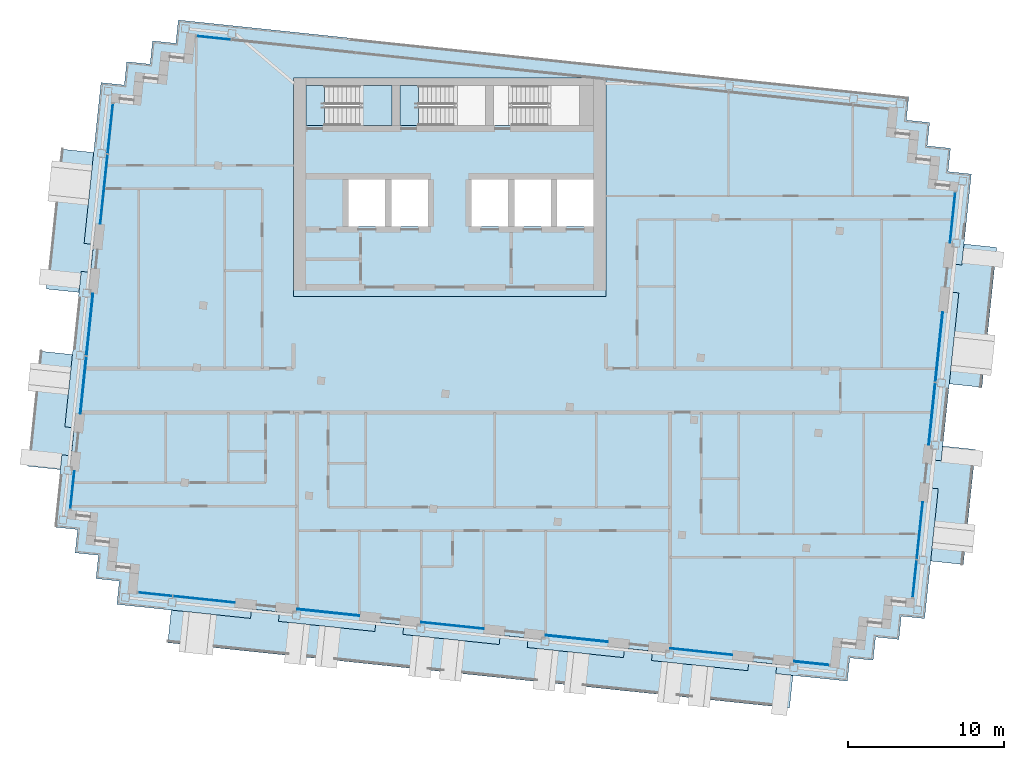
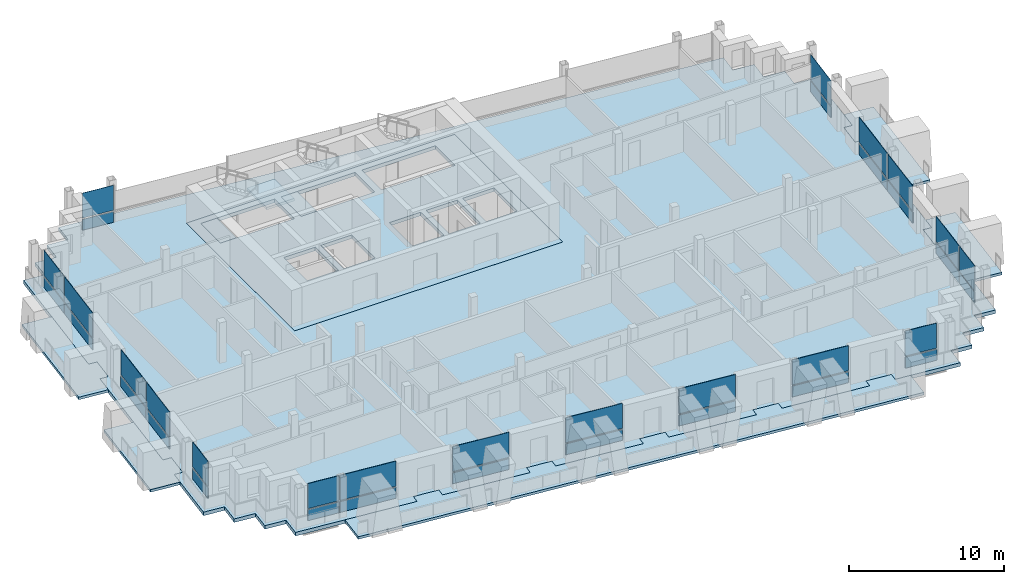
# One storey, part 7 of 16: 36 plates, 10 slabs, 14 elements without a shape of their own.
"""IFC4 building model written with IfcOpenShell, lengths in metres."""

from ifc_helpers import new_model, si_unit, direction, frame, origin, origin_2d, place, context, subcontext, project, spatial, polyline, rectangle, outline, extrude, material, layer, layer_set, type_object, element, aggregate, save


model = new_model("IFC4")

# Units and contexts
model_context = context("Model", 3, precision=1e-05, world=origin(), true_north=direction((0.0, 1.0)))
body_context = subcontext(model_context, "Body", "Model", "MODEL_VIEW")
ifc_project = project(units=[si_unit("LENGTHUNIT", "METRE"), si_unit("AREAUNIT", "SQUARE_METRE"), si_unit("VOLUMEUNIT", "CUBIC_METRE"), si_unit("PLANEANGLEUNIT", "RADIAN"), si_unit("MASSUNIT", "GRAM", prefix="KILO")], contexts=[model_context])

# Site, building, storey
site_placement = place(None, origin())
site = spatial("IfcSite", under=ifc_project, at=site_placement, CompositionType="ELEMENT")
building_placement = place(site_placement, origin())
building = spatial("IfcBuilding", under=site, at=building_placement, Name="Vidyagriha Tower", CompositionType="ELEMENT")
storey_placement = place(building_placement, frame((0.0, 0.0, 259.5)))
storey = spatial("IfcBuildingStorey", under=building, at=storey_placement, Name="L67", CompositionType="ELEMENT", Elevation=259.5)

# Curtain wall, plate
ifc_material_1 = material(Name="Aluminium and glass curtain wall", Category="aluminium")
curtain_wall_type = type_object("IfcCurtainWallType", Name="Dwelling skin unitised curtain wall", PredefinedType="USERDEFINED", material=ifc_material_1)
curtain_wall_1_placement = place(storey_placement, origin())
curtain_wall_1 = element("IfcCurtainWall", 1, at=curtain_wall_1_placement, inside=storey, type_object=curtain_wall_type, Name="CW1 dwelling skin", ObjectType="UNITISED", PredefinedType="USERDEFINED")
ifc_material_2 = material(Name="Glass dark ceramic-fritted spandrel", Category="glass")
ifc_layer_1 = layer(ifc_material_2, 0.0400390625)
ifc_layer_set_1 = layer_set([ifc_layer_1], Name="Glass dark ceramic-fritted spandrel")
plate_type_1 = type_object("IfcPlateType", Name="Ceramic-fritted spandrel panel", PredefinedType="CURTAIN_PANEL", material=ifc_layer_set_1)
plate_1_placement = place(storey_placement, frame((-15.11083984375, 22.56396484375, 0.0), z_axis=(0.0, 0.0, 1.0), x_axis=(-0.994521854435, 0.104528852722, 0.0)))
plate_1 = element("IfcPlate", 2, at=plate_1_placement, type_object=plate_type_1, Name="CW1 panel 7.1", PredefinedType="CURTAIN_PANEL", context=body_context, shape_type="SweptSolid", body=[
    extrude(rectangle(XDim=2.195068359375, YDim=0.0400390625, at=origin_2d()), origin(), (0.0, 0.0, 1.0), 0.85009765625),
])

# Curtain wall, plates
curtain_wall_2_placement = place(storey_placement, origin())
curtain_wall_2 = element("IfcCurtainWall", 3, at=curtain_wall_2_placement, inside=storey, type_object=curtain_wall_type, Name="CW1 dwelling skin", ObjectType="UNITISED", PredefinedType="USERDEFINED")
plate_2_placement = place(storey_placement, frame((-21.7216796875, 16.755615234375, 0.0), z_axis=(0.0, 0.0, 1.0), x_axis=(-0.104525282489, -0.994522229676, 0.0)))
plate_2 = element("IfcPlate", 4, at=plate_2_placement, type_object=plate_type_1, Name="CW1 panel 1.1", PredefinedType="CURTAIN_PANEL", context=body_context, shape_type="SweptSolid", body=[
    extrude(rectangle(XDim=3.195068359375, YDim=0.0400390625, at=origin_2d()), origin(), (0.0, 0.0, 1.0), 0.85009765625),
])
plate_3_placement = place(storey_placement, frame((-22.12939453125, 12.876953125, 0.0), z_axis=(0.0, 0.0, 1.0), x_axis=(-0.104525282489, -0.994522229676, 0.0)))
plate_3 = element("IfcPlate", 5, at=plate_3_placement, type_object=plate_type_1, Name="CW1 panel 2.1", PredefinedType="CURTAIN_PANEL", context=body_context, shape_type="SweptSolid", body=[
    extrude(rectangle(XDim=4.465087890625, YDim=0.0400390625, at=origin_2d()), origin(), (0.0, 0.0, 1.0), 0.85009765625),
])

# Curtain wall, plate
curtain_wall_3_placement = place(storey_placement, origin())
curtain_wall_3 = element("IfcCurtainWall", 6, at=curtain_wall_3_placement, inside=storey, type_object=curtain_wall_type, Name="CW1 dwelling skin", ObjectType="UNITISED", PredefinedType="USERDEFINED")
plate_4_placement = place(storey_placement, frame((-24.151611328125, -6.364501953125, 0.0), z_axis=(0.0, 0.0, 1.0), x_axis=(-0.10451613172, -0.994523191389, 0.0)))
plate_4 = element("IfcPlate", 7, at=plate_4_placement, type_object=plate_type_1, Name="CW1 panel 1.1", PredefinedType="CURTAIN_PANEL", context=body_context, shape_type="SweptSolid", body=[
    extrude(rectangle(XDim=2.43017578125, YDim=0.0400390625, at=origin_2d()), origin(), (0.0, 0.0, 1.0), 0.85009765625),
])

# Curtain wall, plates
curtain_wall_4_placement = place(storey_placement, origin())
curtain_wall_4 = element("IfcCurtainWall", 8, at=curtain_wall_4_placement, inside=storey, type_object=curtain_wall_type, Name="CW1 dwelling skin", ObjectType="UNITISED", PredefinedType="USERDEFINED")
plate_5_placement = place(storey_placement, frame((-18.852783203125, -13.0400390625, 0.0), z_axis=(0.0, 0.0, 1.0), x_axis=(0.994522400055, -0.104523661385, 0.0)))
plate_5 = element("IfcPlate", 9, at=plate_5_placement, type_object=plate_type_1, Name="CW1 panel 1.1", PredefinedType="CURTAIN_PANEL", context=body_context, shape_type="SweptSolid", body=[
    extrude(rectangle(XDim=2.195068359375, YDim=0.0400390625, at=origin_2d()), origin(), (0.0, 0.0, 1.0), 0.85009765625),
])
plate_6_placement = place(storey_placement, frame((-15.72021484375, -13.369384765625, 0.0), z_axis=(0.0, 0.0, 1.0), x_axis=(0.994522400055, -0.104523661385, 0.0)))
plate_6 = element("IfcPlate", 10, at=plate_6_placement, type_object=plate_type_1, Name="CW1 panel 2.1", PredefinedType="CURTAIN_PANEL", context=body_context, shape_type="SweptSolid", body=[
    extrude(rectangle(XDim=3.965087890625, YDim=0.0400390625, at=origin_2d()), origin(), (0.0, 0.0, 1.0), 0.85009765625),
])

# Curtain wall, plate
curtain_wall_5_placement = place(storey_placement, origin())
curtain_wall_5 = element("IfcCurtainWall", 11, at=curtain_wall_5_placement, inside=storey, type_object=curtain_wall_type, Name="CW1 dwelling skin", ObjectType="UNITISED", PredefinedType="USERDEFINED")
plate_7_placement = place(storey_placement, frame((0.1748046875, -15.039794921875, 0.0), z_axis=(0.0, 0.0, 1.0), x_axis=(0.994522016164, -0.104527313963, 0.0)))
plate_7 = element("IfcPlate", 12, at=plate_7_placement, type_object=plate_type_1, Name="CW1 panel 1.1", PredefinedType="CURTAIN_PANEL", context=body_context, shape_type="SweptSolid", body=[
    extrude(rectangle(XDim=4.0, YDim=0.0400390625, at=origin_2d()), origin(), (0.0, 0.0, 1.0), 0.85009765625),
])

curtain_wall_6_placement = place(storey_placement, origin())
curtain_wall_6 = element("IfcCurtainWall", 13, at=curtain_wall_6_placement, inside=storey, type_object=curtain_wall_type, Name="CW1 dwelling skin", ObjectType="UNITISED", PredefinedType="USERDEFINED")
plate_8_placement = place(storey_placement, frame((16.087158203125, -16.71240234375, 0.0), z_axis=(0.0, 0.0, 1.0), x_axis=(0.994522289309, -0.104524715101, 0.0)))
plate_8 = element("IfcPlate", 14, at=plate_8_placement, type_object=plate_type_1, Name="CW1 panel 1.1", PredefinedType="CURTAIN_PANEL", context=body_context, shape_type="SweptSolid", body=[
    extrude(rectangle(XDim=4.0, YDim=0.0400390625, at=origin_2d()), origin(), (0.0, 0.0, 1.0), 0.85009765625),
])

# Curtain wall, plates
curtain_wall_7_placement = place(storey_placement, origin())
curtain_wall_7 = element("IfcCurtainWall", 15, at=curtain_wall_7_placement, inside=storey, type_object=curtain_wall_type, Name="CW1 dwelling skin", ObjectType="UNITISED", PredefinedType="USERDEFINED")
plate_9_placement = place(storey_placement, frame((29.74951171875, -12.04736328125, 0.0), z_axis=(0.0, 0.0, 1.0), x_axis=(0.10453281607, 0.994521437861, 0.0)))
plate_9 = element("IfcPlate", 16, at=plate_9_placement, type_object=plate_type_1, Name="CW1 panel 1.1", PredefinedType="CURTAIN_PANEL", context=body_context, shape_type="SweptSolid", body=[
    extrude(rectangle(XDim=2.39501953125, YDim=0.0400390625, at=origin_2d()), origin(), (0.0, 0.0, 1.0), 0.85009765625),
])
plate_10_placement = place(storey_placement, frame((30.073486328125, -8.96435546875, 0.0), z_axis=(0.0, 0.0, 1.0), x_axis=(0.10453281607, 0.994521437861, 0.0)))
plate_10 = element("IfcPlate", 17, at=plate_10_placement, type_object=plate_type_1, Name="CW1 panel 2.1", PredefinedType="CURTAIN_PANEL", context=body_context, shape_type="SweptSolid", body=[
    extrude(rectangle(XDim=3.6650390625, YDim=0.0400390625, at=origin_2d()), origin(), (0.0, 0.0, 1.0), 0.85009765625),
])

# Curtain wall, plate
curtain_wall_8_placement = place(storey_placement, origin())
curtain_wall_8 = element("IfcCurtainWall", 18, at=curtain_wall_8_placement, inside=storey, type_object=curtain_wall_type, Name="CW1 dwelling skin", ObjectType="UNITISED", PredefinedType="USERDEFINED")
plate_11_placement = place(storey_placement, frame((32.1796875, 11.07275390625, 0.0), z_axis=(0.0, 0.0, 1.0), x_axis=(0.10451599791, 0.994523205451, 0.0)))
plate_11 = element("IfcPlate", 19, at=plate_11_placement, type_object=plate_type_1, Name="CW1 panel 1.1", PredefinedType="CURTAIN_PANEL", context=body_context, shape_type="SweptSolid", body=[
    extrude(rectangle(XDim=3.22998046875, YDim=0.0400390625, at=origin_2d()), origin(), (0.0, 0.0, 1.0), 0.85009765625),
])

# Slab
ifc_material_3 = material(Name="Concrete C60/75", Category="concrete")
ifc_layer_2 = layer(ifc_material_3, 0.280029296875)
ifc_layer_set_2 = layer_set([ifc_layer_2], Name="Concrete C60/75")
slab_type_1 = type_object("IfcSlabType", Name="Core floor slab 280 mm", PredefinedType="FLOOR", material=ifc_layer_set_2)
slab_1_placement = place(storey_placement, frame((0.0, 0.0, -0.280029296875)))
element("IfcSlab", 20, at=slab_1_placement, inside=storey, type_object=slab_type_1, Name="L67 core floor 1", PredefinedType="FLOOR", context=body_context, shape_type="SweptSolid", body=[
    extrude(outline(polyline([(-10.0, 6.0), (-10.0, 20.0), (10.0, 20.0), (10.0, 6.0), (-10.0, 6.0)]), holes=[polyline([(6.86669921875, 13.5), (6.86669921875, 10.5), (9.199951171875, 10.5), (9.199951171875, 13.5), (6.86669921875, 13.5)]), polyline([(4.0, 19.5), (2.800048828125, 19.5), (2.800048828125, 16.949951171875), (4.0, 16.949951171875), (8.300048828125, 16.949951171875), (8.300048828125, 19.5), (4.0, 19.5)]), polyline([(6.466796875, 13.5), (4.13330078125, 13.5), (4.13330078125, 10.5), (6.466796875, 10.5), (6.466796875, 13.5)]), polyline([(3.7333984375, 13.5), (1.39990234375, 13.5), (1.39990234375, 10.5), (3.7333984375, 10.5), (3.7333984375, 13.5)]), polyline([(-2.0, 16.949951171875), (2.300048828125, 16.949951171875), (2.300048828125, 19.5), (-2.0, 19.5), (-3.199951171875, 19.5), (-3.199951171875, 16.949951171875), (-2.0, 16.949951171875)]), polyline([(-3.7333984375, 13.5), (-3.7333984375, 10.5), (-1.39990234375, 10.5), (-1.39990234375, 13.5), (-3.7333984375, 13.5)]), polyline([(-9.199951171875, 19.5), (-9.199951171875, 16.949951171875), (-8.0, 16.949951171875), (-3.699951171875, 16.949951171875), (-3.699951171875, 19.5), (-8.0, 19.5), (-9.199951171875, 19.5)]), polyline([(-6.466796875, 13.5), (-6.466796875, 10.5), (-4.13330078125, 10.5), (-4.13330078125, 13.5), (-6.466796875, 13.5)])]), origin(), (0.0, 0.0, 1.0), 0.280029296875),
])

# Plate
ifc_material_4 = material(Name="Glass dark ceramic-fritted", Category="glass")
ifc_layer_3 = layer(ifc_material_4, 0.028076171875)
ifc_layer_set_3 = layer_set([ifc_layer_3], Name="Glass dark ceramic-fritted")
plate_type_2 = type_object("IfcPlateType", Name="Dark ceramic-fritted vision glass panel", PredefinedType="CURTAIN_PANEL", material=ifc_layer_set_3)
plate_12_placement = place(storey_placement, frame((-15.11083984375, 22.56396484375, 0.9501953125), z_axis=(0.0, 0.0, 1.0), x_axis=(-0.994521854435, 0.104528852722, 0.0)))
plate_12 = element("IfcPlate", 21, at=plate_12_placement, type_object=plate_type_2, Name="CW1 panel 7.2", PredefinedType="CURTAIN_PANEL", context=body_context, shape_type="SweptSolid", body=[
    extrude(rectangle(XDim=2.195068359375, YDim=0.028076171875, at=origin_2d()), origin(), (0.0, 0.0, 1.0), 1.969970703125),
])

aggregate(curtain_wall_1, [plate_1, plate_12])

plate_13_placement = place(storey_placement, frame((-21.7216796875, 16.755615234375, 0.9501953125), z_axis=(0.0, 0.0, 1.0), x_axis=(-0.104525282489, -0.994522229676, 0.0)))
plate_13 = element("IfcPlate", 22, at=plate_13_placement, type_object=plate_type_2, Name="CW1 panel 1.2", PredefinedType="CURTAIN_PANEL", context=body_context, shape_type="SweptSolid", body=[
    extrude(rectangle(XDim=3.195068359375, YDim=0.028076171875, at=origin_2d()), origin(), (0.0, 0.0, 1.0), 1.969970703125),
])

plate_14_placement = place(storey_placement, frame((-22.12939453125, 12.876953125, 0.9501953125), z_axis=(0.0, 0.0, 1.0), x_axis=(-0.104525282489, -0.994522229676, 0.0)))
plate_14 = element("IfcPlate", 23, at=plate_14_placement, type_object=plate_type_2, Name="CW1 panel 2.2", PredefinedType="CURTAIN_PANEL", context=body_context, shape_type="SweptSolid", body=[
    extrude(rectangle(XDim=4.465087890625, YDim=0.028076171875, at=origin_2d()), origin(), (0.0, 0.0, 1.0), 1.969970703125),
])

aggregate(curtain_wall_2, [plate_2, plate_13, plate_3, plate_14])

# Curtain wall, plates
curtain_wall_9_placement = place(storey_placement, origin())
curtain_wall_9 = element("IfcCurtainWall", 24, at=curtain_wall_9_placement, inside=storey, type_object=curtain_wall_type, Name="CW1 dwelling skin", ObjectType="UNITISED", PredefinedType="USERDEFINED")
plate_15_placement = place(storey_placement, frame((-23.040283203125, 4.209716796875, 0.9501953125), z_axis=(0.0, 0.0, 1.0), x_axis=(-0.10453267483, -0.994521452706, 0.0)))
plate_15 = element("IfcPlate", 25, at=plate_15_placement, type_object=plate_type_2, Name="CW1 panel 1.2", PredefinedType="CURTAIN_PANEL", context=body_context, shape_type="SweptSolid", body=[
    extrude(rectangle(XDim=3.965087890625, YDim=0.028076171875, at=origin_2d()), origin(), (0.0, 0.0, 1.0), 1.969970703125),
])
plate_16_placement = place(storey_placement, frame((-23.4462890625, 0.345947265625, 0.9501953125), z_axis=(0.0, 0.0, 1.0), x_axis=(-0.10453267483, -0.994521452706, 0.0)))
plate_16 = element("IfcPlate", 26, at=plate_16_placement, type_object=plate_type_2, Name="CW1 panel 2.2", PredefinedType="CURTAIN_PANEL", context=body_context, shape_type="SweptSolid", body=[
    extrude(rectangle(XDim=3.6650390625, YDim=0.028076171875, at=origin_2d()), origin(), (0.0, 0.0, 1.0), 1.969970703125),
])

# Plate
plate_17_placement = place(storey_placement, frame((-24.151611328125, -6.364501953125, 0.9501953125), z_axis=(0.0, 0.0, 1.0), x_axis=(-0.10451613172, -0.994523191389, 0.0)))
plate_17 = element("IfcPlate", 27, at=plate_17_placement, type_object=plate_type_2, Name="CW1 panel 1.2", PredefinedType="CURTAIN_PANEL", context=body_context, shape_type="SweptSolid", body=[
    extrude(rectangle(XDim=2.43017578125, YDim=0.028076171875, at=origin_2d()), origin(), (0.0, 0.0, 1.0), 1.969970703125),
])

aggregate(curtain_wall_3, [plate_4, plate_17])

plate_18_placement = place(storey_placement, frame((-18.852783203125, -13.0400390625, 0.9501953125), z_axis=(0.0, 0.0, 1.0), x_axis=(0.994522400055, -0.104523661385, 0.0)))
plate_18 = element("IfcPlate", 28, at=plate_18_placement, type_object=plate_type_2, Name="CW1 panel 1.2", PredefinedType="CURTAIN_PANEL", context=body_context, shape_type="SweptSolid", body=[
    extrude(rectangle(XDim=2.195068359375, YDim=0.028076171875, at=origin_2d()), origin(), (0.0, 0.0, 1.0), 1.969970703125),
])

plate_19_placement = place(storey_placement, frame((-15.72021484375, -13.369384765625, 0.9501953125), z_axis=(0.0, 0.0, 1.0), x_axis=(0.994522400055, -0.104523661385, 0.0)))
plate_19 = element("IfcPlate", 29, at=plate_19_placement, type_object=plate_type_2, Name="CW1 panel 2.2", PredefinedType="CURTAIN_PANEL", context=body_context, shape_type="SweptSolid", body=[
    extrude(rectangle(XDim=3.965087890625, YDim=0.028076171875, at=origin_2d()), origin(), (0.0, 0.0, 1.0), 1.969970703125),
])

aggregate(curtain_wall_4, [plate_5, plate_18, plate_6, plate_19])

# Curtain wall, plate
curtain_wall_10_placement = place(storey_placement, origin())
curtain_wall_10 = element("IfcCurtainWall", 30, at=curtain_wall_10_placement, inside=storey, type_object=curtain_wall_type, Name="CW1 dwelling skin", ObjectType="UNITISED", PredefinedType="USERDEFINED")
plate_20_placement = place(storey_placement, frame((-7.78125, -14.20361328125, 0.9501953125), z_axis=(0.0, 0.0, 1.0), x_axis=(0.994519690211, -0.104549441808, 0.0)))
plate_20 = element("IfcPlate", 31, at=plate_20_placement, type_object=plate_type_2, Name="CW1 panel 1.2", PredefinedType="CURTAIN_PANEL", context=body_context, shape_type="SweptSolid", body=[
    extrude(rectangle(XDim=4.0, YDim=0.028076171875, at=origin_2d()), origin(), (0.0, 0.0, 1.0), 1.969970703125),
])

# Plate
plate_21_placement = place(storey_placement, frame((0.1748046875, -15.039794921875, 0.9501953125), z_axis=(0.0, 0.0, 1.0), x_axis=(0.994522016164, -0.104527313963, 0.0)))
plate_21 = element("IfcPlate", 32, at=plate_21_placement, type_object=plate_type_2, Name="CW1 panel 1.2", PredefinedType="CURTAIN_PANEL", context=body_context, shape_type="SweptSolid", body=[
    extrude(rectangle(XDim=4.0, YDim=0.028076171875, at=origin_2d()), origin(), (0.0, 0.0, 1.0), 1.969970703125),
])

aggregate(curtain_wall_5, [plate_7, plate_21])

# Curtain wall, plate
curtain_wall_11_placement = place(storey_placement, origin())
curtain_wall_11 = element("IfcCurtainWall", 33, at=curtain_wall_11_placement, inside=storey, type_object=curtain_wall_type, Name="CW1 dwelling skin", ObjectType="UNITISED", PredefinedType="USERDEFINED")
plate_22_placement = place(storey_placement, frame((8.131103515625, -15.876220703125, 0.9501953125), z_axis=(0.0, 0.0, 1.0), x_axis=(0.994522289309, -0.104524715101, 0.0)))
plate_22 = element("IfcPlate", 34, at=plate_22_placement, type_object=plate_type_2, Name="CW1 panel 1.2", PredefinedType="CURTAIN_PANEL", context=body_context, shape_type="SweptSolid", body=[
    extrude(rectangle(XDim=4.0, YDim=0.028076171875, at=origin_2d()), origin(), (0.0, 0.0, 1.0), 1.969970703125),
])

# Plate
plate_23_placement = place(storey_placement, frame((16.087158203125, -16.71240234375, 0.9501953125), z_axis=(0.0, 0.0, 1.0), x_axis=(0.994522289309, -0.104524715101, 0.0)))
plate_23 = element("IfcPlate", 35, at=plate_23_placement, type_object=plate_type_2, Name="CW1 panel 1.2", PredefinedType="CURTAIN_PANEL", context=body_context, shape_type="SweptSolid", body=[
    extrude(rectangle(XDim=4.0, YDim=0.028076171875, at=origin_2d()), origin(), (0.0, 0.0, 1.0), 1.969970703125),
])

aggregate(curtain_wall_6, [plate_8, plate_23])

# Curtain wall, plate
curtain_wall_12_placement = place(storey_placement, origin())
curtain_wall_12 = element("IfcCurtainWall", 36, at=curtain_wall_12_placement, inside=storey, type_object=curtain_wall_type, Name="CW1 dwelling skin", ObjectType="UNITISED", PredefinedType="USERDEFINED")
plate_24_placement = place(storey_placement, frame((23.1630859375, -17.4560546875, 0.9501953125), z_axis=(0.0, 0.0, 1.0), x_axis=(0.994522592653, -0.10452182883, 0.0)))
plate_24 = element("IfcPlate", 37, at=plate_24_placement, type_object=plate_type_2, Name="CW1 panel 1.2", PredefinedType="CURTAIN_PANEL", context=body_context, shape_type="SweptSolid", body=[
    extrude(rectangle(XDim=2.22998046875, YDim=0.028076171875, at=origin_2d()), origin(), (0.0, 0.0, 1.0), 1.969970703125),
])

# Plate
plate_25_placement = place(storey_placement, frame((29.74951171875, -12.04736328125, 0.9501953125), z_axis=(0.0, 0.0, 1.0), x_axis=(0.10453281607, 0.994521437861, 0.0)))
plate_25 = element("IfcPlate", 38, at=plate_25_placement, type_object=plate_type_2, Name="CW1 panel 1.2", PredefinedType="CURTAIN_PANEL", context=body_context, shape_type="SweptSolid", body=[
    extrude(rectangle(XDim=2.39501953125, YDim=0.028076171875, at=origin_2d()), origin(), (0.0, 0.0, 1.0), 1.969970703125),
])

plate_26_placement = place(storey_placement, frame((30.073486328125, -8.96435546875, 0.9501953125), z_axis=(0.0, 0.0, 1.0), x_axis=(0.10453281607, 0.994521437861, 0.0)))
plate_26 = element("IfcPlate", 39, at=plate_26_placement, type_object=plate_type_2, Name="CW1 panel 2.2", PredefinedType="CURTAIN_PANEL", context=body_context, shape_type="SweptSolid", body=[
    extrude(rectangle(XDim=3.6650390625, YDim=0.028076171875, at=origin_2d()), origin(), (0.0, 0.0, 1.0), 1.969970703125),
])

aggregate(curtain_wall_7, [plate_9, plate_25, plate_10, plate_26])

# Curtain wall, plates
curtain_wall_13_placement = place(storey_placement, origin())
curtain_wall_13 = element("IfcCurtainWall", 40, at=curtain_wall_13_placement, inside=storey, type_object=curtain_wall_type, Name="CW1 dwelling skin", ObjectType="UNITISED", PredefinedType="USERDEFINED")
plate_27_placement = place(storey_placement, frame((30.859130859375, -1.490478515625, 0.9501953125), z_axis=(0.0, 0.0, 1.0), x_axis=(0.104529843047, 0.994521750347, 0.0)))
plate_27 = element("IfcPlate", 41, at=plate_27_placement, type_object=plate_type_2, Name="CW1 panel 1.2", PredefinedType="CURTAIN_PANEL", context=body_context, shape_type="SweptSolid", body=[
    extrude(rectangle(XDim=3.965087890625, YDim=0.028076171875, at=origin_2d()), origin(), (0.0, 0.0, 1.0), 1.969970703125),
])
plate_28_placement = place(storey_placement, frame((31.306884765625, 2.77099609375, 0.9501953125), z_axis=(0.0, 0.0, 1.0), x_axis=(0.104529843047, 0.994521750347, 0.0)))
plate_28 = element("IfcPlate", 42, at=plate_28_placement, type_object=plate_type_2, Name="CW1 panel 2.2", PredefinedType="CURTAIN_PANEL", context=body_context, shape_type="SweptSolid", body=[
    extrude(rectangle(XDim=4.465087890625, YDim=0.028076171875, at=origin_2d()), origin(), (0.0, 0.0, 1.0), 1.969970703125),
])

# Plate
plate_29_placement = place(storey_placement, frame((32.1796875, 11.07275390625, 0.9501953125), z_axis=(0.0, 0.0, 1.0), x_axis=(0.10451599791, 0.994523205451, 0.0)))
plate_29 = element("IfcPlate", 43, at=plate_29_placement, type_object=plate_type_2, Name="CW1 panel 1.2", PredefinedType="CURTAIN_PANEL", context=body_context, shape_type="SweptSolid", body=[
    extrude(rectangle(XDim=3.22998046875, YDim=0.028076171875, at=origin_2d()), origin(), (0.0, 0.0, 1.0), 1.969970703125),
])

aggregate(curtain_wall_8, [plate_11, plate_29])

# Slabs
ifc_material_5 = material(Name="Concrete C40/50", Category="concrete")
ifc_layer_4 = layer(ifc_material_5, 0.280029296875)
ifc_layer_set_4 = layer_set([ifc_layer_4], Name="Concrete C40/50")
slab_type_2 = type_object("IfcSlabType", Name="Exit stair floor landing 280 mm", PredefinedType="LANDING", material=ifc_layer_set_4)
slab_2_placement = place(storey_placement, frame((0.0, 0.0, -0.280029296875)))
element("IfcSlab", 44, at=slab_2_placement, inside=storey, type_object=slab_type_2, Name="ST1 floor landing L67", PredefinedType="LANDING", context=body_context, shape_type="SweptSolid", body=[
    extrude(outline(polyline([(-9.199951171875, 16.949951171875), (-8.0, 16.949951171875), (-8.0, 19.5), (-9.199951171875, 19.5), (-9.199951171875, 16.949951171875)])), origin(), (0.0, 0.0, 1.0), 0.280029296875),
])
slab_3_placement = place(storey_placement, frame((0.0, 0.0, -0.280029296875)))
element("IfcSlab", 45, at=slab_3_placement, inside=storey, type_object=slab_type_2, Name="ST2 floor landing L67", PredefinedType="LANDING", context=body_context, shape_type="SweptSolid", body=[
    extrude(outline(polyline([(-3.199951171875, 16.949951171875), (-2.0, 16.949951171875), (-2.0, 19.5), (-3.199951171875, 19.5), (-3.199951171875, 16.949951171875)])), origin(), (0.0, 0.0, 1.0), 0.280029296875),
])

# Stair, slab
ifc_material_6 = material(Name="Concrete C40/50", Category="concrete")
stair_type = type_object("IfcStairType", Name="Exit stair, half-turn, precast flights", PredefinedType="HALF_TURN_STAIR", material=ifc_material_6)
stair_placement = place(storey_placement, origin())
stair = element("IfcStair", 46, at=stair_placement, inside=storey, type_object=stair_type, Name="L67 Exit Stair ST1", PredefinedType="HALF_TURN_STAIR")
ifc_material_7 = material(Name="Concrete C40/50", Category="concrete")
ifc_layer_5 = layer(ifc_material_7, 0.199951171875)
ifc_layer_set_5 = layer_set([ifc_layer_5], Name="Concrete C40/50")
slab_type_3 = type_object("IfcSlabType", Name="Exit stair landing 200 mm", PredefinedType="LANDING", material=ifc_layer_set_5)
slab_4_placement = place(storey_placement, frame((0.0, 0.0, 1.39990234375)))
slab_4 = element("IfcSlab", 47, at=slab_4_placement, type_object=slab_type_3, Name="ST1 landing 1", PredefinedType="LANDING", context=body_context, shape_type="SweptSolid", body=[
    extrude(outline(polyline([(-5.760009765625, 16.949951171875), (-3.699951171875, 16.949951171875), (-3.699951171875, 19.5), (-5.760009765625, 19.5), (-5.760009765625, 16.949951171875)])), origin(), (0.0, 0.0, 1.0), 0.2001953125),
])
aggregate(stair, [slab_4])

# Plate
ifc_material_8 = material(Name="Aluminium black anodised", Category="aluminium")
ifc_layer_6 = layer(ifc_material_8, 0.06005859375)
ifc_layer_set_6 = layer_set([ifc_layer_6], Name="Aluminium black anodised")
plate_type_3 = type_object("IfcPlateType", Name="Operable black-metal vent panel", PredefinedType="CURTAIN_PANEL", material=ifc_layer_set_6)
plate_30_placement = place(storey_placement, frame((-23.040283203125, 4.209716796875, 0.0), z_axis=(0.0, 0.0, 1.0), x_axis=(-0.10453267483, -0.994521452706, 0.0)))
plate_30 = element("IfcPlate", 48, at=plate_30_placement, type_object=plate_type_3, Name="CW1 panel 1.1", PredefinedType="CURTAIN_PANEL", context=body_context, shape_type="SweptSolid", body=[
    extrude(rectangle(XDim=3.965087890625, YDim=0.06005859375, at=origin_2d()), origin(), (0.0, 0.0, 1.0), 0.85009765625),
])

plate_31_placement = place(storey_placement, frame((-23.4462890625, 0.345947265625, 0.0), z_axis=(0.0, 0.0, 1.0), x_axis=(-0.10453267483, -0.994521452706, 0.0)))
plate_31 = element("IfcPlate", 49, at=plate_31_placement, type_object=plate_type_3, Name="CW1 panel 2.1", PredefinedType="CURTAIN_PANEL", context=body_context, shape_type="SweptSolid", body=[
    extrude(rectangle(XDim=3.6650390625, YDim=0.06005859375, at=origin_2d()), origin(), (0.0, 0.0, 1.0), 0.85009765625),
])

aggregate(curtain_wall_9, [plate_30, plate_15, plate_31, plate_16])

plate_32_placement = place(storey_placement, frame((-7.78125, -14.20361328125, 0.0), z_axis=(0.0, 0.0, 1.0), x_axis=(0.994519690211, -0.104549441808, 0.0)))
plate_32 = element("IfcPlate", 50, at=plate_32_placement, type_object=plate_type_3, Name="CW1 panel 1.1", PredefinedType="CURTAIN_PANEL", context=body_context, shape_type="SweptSolid", body=[
    extrude(rectangle(XDim=4.0, YDim=0.06005859375, at=origin_2d()), origin(), (0.0, 0.0, 1.0), 0.85009765625),
])

aggregate(curtain_wall_10, [plate_32, plate_20])

plate_33_placement = place(storey_placement, frame((8.131103515625, -15.876220703125, 0.0), z_axis=(0.0, 0.0, 1.0), x_axis=(0.994522289309, -0.104524715101, 0.0)))
plate_33 = element("IfcPlate", 51, at=plate_33_placement, type_object=plate_type_3, Name="CW1 panel 1.1", PredefinedType="CURTAIN_PANEL", context=body_context, shape_type="SweptSolid", body=[
    extrude(rectangle(XDim=4.0, YDim=0.06005859375, at=origin_2d()), origin(), (0.0, 0.0, 1.0), 0.85009765625),
])

aggregate(curtain_wall_11, [plate_33, plate_22])

plate_34_placement = place(storey_placement, frame((23.1630859375, -17.4560546875, 0.0), z_axis=(0.0, 0.0, 1.0), x_axis=(0.994522592653, -0.10452182883, 0.0)))
plate_34 = element("IfcPlate", 52, at=plate_34_placement, type_object=plate_type_3, Name="CW1 panel 1.1", PredefinedType="CURTAIN_PANEL", context=body_context, shape_type="SweptSolid", body=[
    extrude(rectangle(XDim=2.22998046875, YDim=0.06005859375, at=origin_2d()), origin(), (0.0, 0.0, 1.0), 0.85009765625),
])

aggregate(curtain_wall_12, [plate_34, plate_24])

plate_35_placement = place(storey_placement, frame((30.859130859375, -1.490478515625, 0.0), z_axis=(0.0, 0.0, 1.0), x_axis=(0.104529843047, 0.994521750347, 0.0)))
plate_35 = element("IfcPlate", 53, at=plate_35_placement, type_object=plate_type_3, Name="CW1 panel 1.1", PredefinedType="CURTAIN_PANEL", context=body_context, shape_type="SweptSolid", body=[
    extrude(rectangle(XDim=3.965087890625, YDim=0.06005859375, at=origin_2d()), origin(), (0.0, 0.0, 1.0), 0.85009765625),
])

plate_36_placement = place(storey_placement, frame((31.306884765625, 2.77099609375, 0.0), z_axis=(0.0, 0.0, 1.0), x_axis=(0.104529843047, 0.994521750347, 0.0)))
plate_36 = element("IfcPlate", 54, at=plate_36_placement, type_object=plate_type_3, Name="CW1 panel 2.1", PredefinedType="CURTAIN_PANEL", context=body_context, shape_type="SweptSolid", body=[
    extrude(rectangle(XDim=4.465087890625, YDim=0.06005859375, at=origin_2d()), origin(), (0.0, 0.0, 1.0), 0.85009765625),
])

aggregate(curtain_wall_13, [plate_35, plate_27, plate_36, plate_28])

# Slabs
ifc_material_9 = material(Name="Concrete C50/60", Category="concrete")
ifc_layer_7 = layer(ifc_material_9, 0.280029296875)
ifc_layer_set_7 = layer_set([ifc_layer_7], Name="Concrete C50/60")
slab_type_4 = type_object("IfcSlabType", Name="Post-tensioned flat plate 280", PredefinedType="FLOOR", material=ifc_layer_set_7)
slab_5_placement = place(storey_placement, frame((0.0, 0.0, -0.280029296875)))
element("IfcSlab", 55, at=slab_5_placement, inside=storey, type_object=slab_type_4, Name="st-slab-L67-1", PredefinedType="FLOOR", context=body_context, shape_type="SweptSolid", body=[
    extrude(outline(polyline([(28.738037109375, -15.930419921875), (27.246337890625, -15.773681640625), (27.089599609375, -17.265380859375), (25.597900390625, -17.108642578125), (25.44091796875, -18.600341796875), (20.8662109375, -18.11962890625), (20.928955078125, -17.52294921875), (19.138916015625, -17.334716796875), (19.076171875, -17.931396484375), (12.91015625, -17.283447265625), (12.972900390625, -16.686767578125), (11.1826171875, -16.49853515625), (11.119873046875, -17.09521484375), (4.953857421875, -16.447265625), (5.0166015625, -15.8505859375), (3.226318359375, -15.662353515625), (3.163818359375, -16.259033203125), (-3.002197265625, -15.61083984375), (-2.939453125, -15.014404296875), (-4.729736328125, -14.826171875), (-4.79248046875, -15.4228515625), (-10.95849609375, -14.774658203125), (-10.895751953125, -14.177978515625), (-12.685791015625, -13.98974609375), (-12.74853515625, -14.586669921875), (-21.301513671875, -13.6875), (-21.144775390625, -12.19580078125), (-22.636474609375, -12.0390625), (-22.479736328125, -10.547119140625), (-23.971435546875, -10.390380859375), (-23.814697265625, -8.898681640625), (-25.306396484375, -8.741943359375), (-24.8203125, -4.1171875), (-24.223876953125, -4.179931640625), (-24.03564453125, -2.389892578125), (-24.63232421875, -2.3271484375), (-23.5869140625, 7.617919921875), (-22.990234375, 7.555419921875), (-22.80224609375, 9.345458984375), (-23.39892578125, 9.408203125), (-22.31689453125, 19.701416015625), (-20.8251953125, 19.544677734375), (-20.66845703125, 21.036376953125), (-19.176513671875, 20.879638671875), (-19.019775390625, 22.371337890625), (-17.528076171875, 22.214599609375), (-17.371337890625, 23.706298828125), (29.371337890625, 18.793701171875), (29.214599609375, 17.3017578125), (30.706298828125, 17.14501953125), (30.549560546875, 15.6533203125), (32.041259765625, 15.496337890625), (31.884521484375, 14.004638671875), (33.376220703125, 13.847900390625), (32.7646484375, 8.02978515625), (32.16796875, 8.092529296875), (31.97998046875, 6.302490234375), (32.57666015625, 6.23974609375), (31.44775390625, -4.501220703125), (30.85107421875, -4.4384765625), (30.662841796875, -6.228515625), (31.259521484375, -6.291259765625), (30.38671875, -14.595458984375), (28.89501953125, -14.438720703125), (28.738037109375, -15.930419921875)]), holes=[polyline([(-10.0, 20.0), (-10.0, 6.0), (10.0, 6.0), (10.0, 20.0), (-10.0, 20.0)])]), origin(), (0.0, 0.0, 1.0), 0.280029296875),
])
ifc_material_10 = material(Name="Precast concrete C40/50", Category="concrete")
ifc_layer_8 = layer(ifc_material_10, 0.199951171875)
ifc_layer_set_8 = layer_set([ifc_layer_8], Name="Precast concrete C40/50")
slab_type_5 = type_object("IfcSlabType", Name="Precast balcony slab 200", PredefinedType="USERDEFINED", material=ifc_layer_set_8)
slab_6_placement = place(storey_placement, frame((0.0, 0.0, -0.199951171875)))
element("IfcSlab", 56, at=slab_6_placement, inside=storey, type_object=slab_type_5, Name="Balcony slab L67 R14.1-1", ObjectType="BALCONY", PredefinedType="USERDEFINED", context=body_context, shape_type="SweptSolid", body=[
    extrude(outline(polyline([(-22.990234375, 7.555419921875), (-22.80224609375, 9.345458984375), (-23.39892578125, 9.408203125), (-22.787353515625, 15.226318359375), (-24.8759765625, 15.44580078125), (-25.816650390625, 6.4951171875), (-23.728271484375, 6.275390625), (-23.587158203125, 7.617919921875), (-22.990234375, 7.555419921875)])), origin(), (0.0, 0.0, 1.0), 0.199951171875),
])
slab_7_placement = place(storey_placement, frame((0.0, 0.0, -0.199951171875)))
element("IfcSlab", 57, at=slab_7_placement, inside=storey, type_object=slab_type_5, Name="Balcony slab L67 R14.2-2", ObjectType="BALCONY", PredefinedType="USERDEFINED", context=body_context, shape_type="SweptSolid", body=[
    extrude(outline(polyline([(-24.223876953125, -4.179931640625), (-24.03564453125, -2.389892578125), (-24.63232421875, -2.3271484375), (-24.146240234375, 2.29736328125), (-26.23486328125, 2.516845703125), (-27.00830078125, -4.842529296875), (-24.919921875, -5.06201171875), (-24.820556640625, -4.1171875), (-24.223876953125, -4.179931640625)])), origin(), (0.0, 0.0, 1.0), 0.199951171875),
])
slab_8_placement = place(storey_placement, frame((0.0, 0.0, -0.199951171875)))
element("IfcSlab", 58, at=slab_8_placement, inside=storey, type_object=slab_type_5, Name="Balcony slab L67 R21.1-5", ObjectType="BALCONY", PredefinedType="USERDEFINED", context=body_context, shape_type="SweptSolid", body=[
    extrude(outline(polyline([(20.8662109375, -18.11962890625), (20.928955078125, -17.52294921875), (19.138916015625, -17.334716796875), (19.076171875, -17.931396484375), (12.91015625, -17.283447265625), (12.972900390625, -16.686767578125), (11.1826171875, -16.49853515625), (11.119873046875, -17.09521484375), (4.953857421875, -16.447265625), (5.0166015625, -15.8505859375), (3.226318359375, -15.662353515625), (3.163818359375, -16.259033203125), (-3.002197265625, -15.611083984375), (-2.939453125, -15.014404296875), (-4.729736328125, -14.826171875), (-4.79248046875, -15.4228515625), (-10.95849609375, -14.774658203125), (-10.895751953125, -14.177978515625), (-12.685791015625, -13.98974609375), (-12.74853515625, -14.586669921875), (-17.82080078125, -14.053466796875), (-18.040283203125, -16.14208984375), (21.74072265625, -20.322998046875), (21.960205078125, -18.234619140625), (20.8662109375, -18.11962890625)])), origin(), (0.0, 0.0, 1.0), 0.199951171875),
])
slab_9_placement = place(storey_placement, frame((0.0, 0.0, -0.199951171875)))
element("IfcSlab", 59, at=slab_9_placement, inside=storey, type_object=slab_type_5, Name="Balcony slab L67 R28.1-1", ObjectType="BALCONY", PredefinedType="USERDEFINED", context=body_context, shape_type="SweptSolid", body=[
    extrude(outline(polyline([(31.259521484375, -6.291259765625), (30.7734375, -10.915771484375), (32.862060546875, -11.13525390625), (33.635498046875, -3.77587890625), (31.547119140625, -3.556396484375), (31.44775390625, -4.501220703125), (30.85107421875, -4.4384765625), (30.662841796875, -6.228515625), (31.259521484375, -6.291259765625)])), origin(), (0.0, 0.0, 1.0), 0.199951171875),
])
slab_10_placement = place(storey_placement, frame((0.0, 0.0, -0.199951171875)))
element("IfcSlab", 60, at=slab_10_placement, inside=storey, type_object=slab_type_5, Name="Balcony slab L67 R28.2-2", ObjectType="BALCONY", PredefinedType="USERDEFINED", context=body_context, shape_type="SweptSolid", body=[
    extrude(outline(polyline([(32.57666015625, 6.23974609375), (31.965087890625, 0.421875), (34.0537109375, 0.202392578125), (34.994384765625, 9.153076171875), (32.906005859375, 9.37255859375), (32.764892578125, 8.02978515625), (32.16796875, 8.092529296875), (31.97998046875, 6.302490234375), (32.57666015625, 6.23974609375)])), origin(), (0.0, 0.0, 1.0), 0.199951171875),
])

save(model, "model.ifc")
